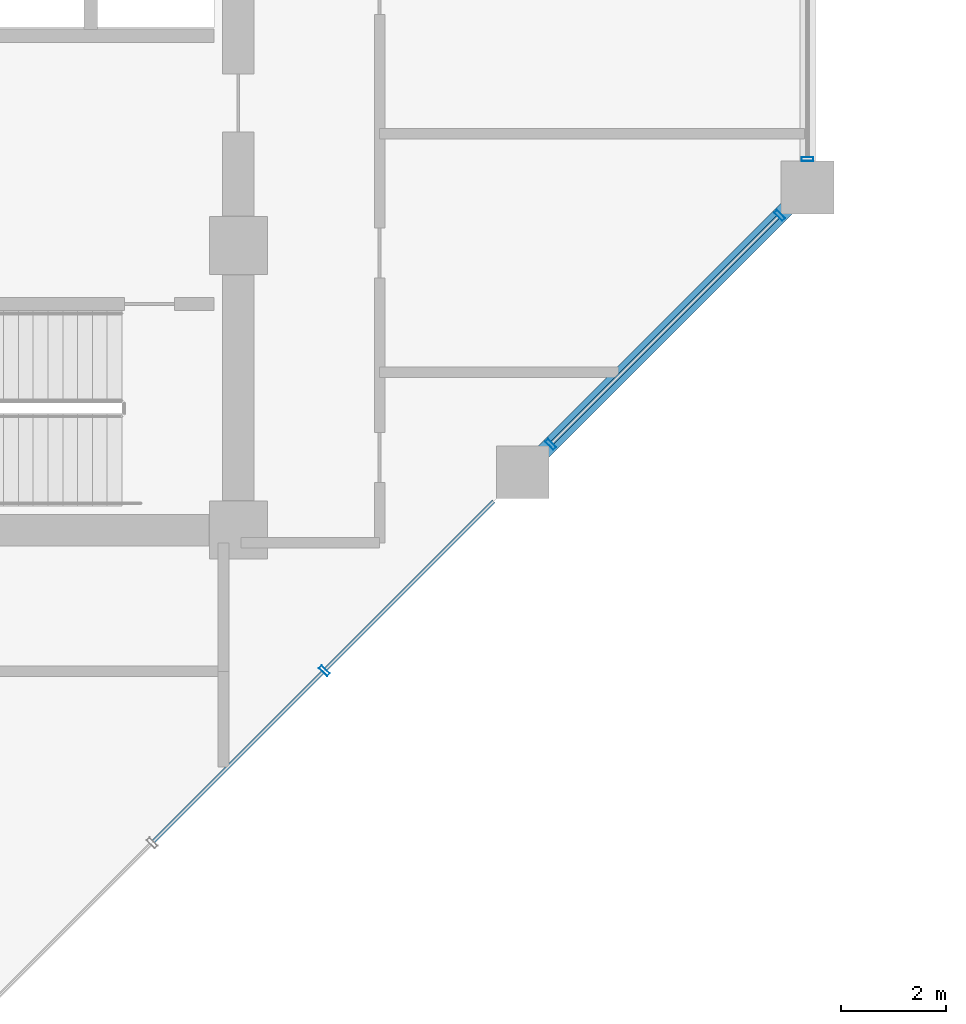
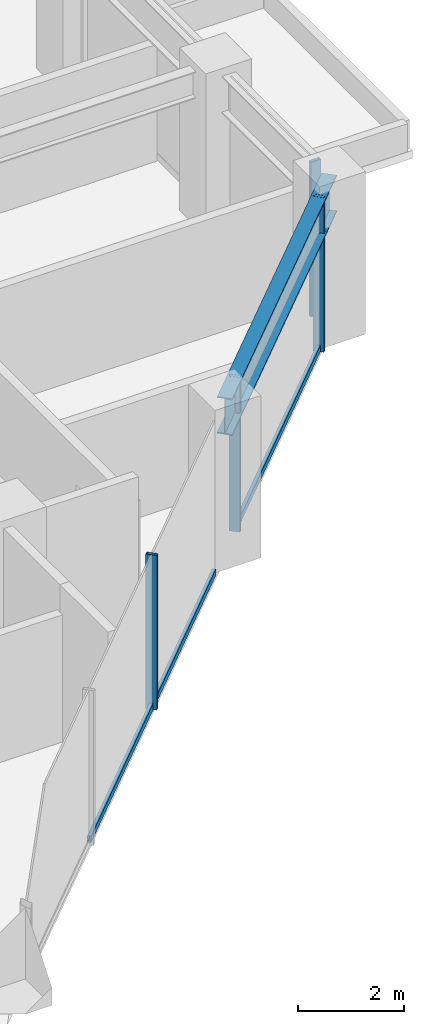
# One storey, part 8 of 29: 7 members, 1 beam, 2 elements without a shape of their own.
"""IFC4 building model written with IfcOpenShell, lengths in metres."""

from ifc_helpers import new_model, si_unit, direction, frame, origin, origin_2d, place, context, subcontext, project, spatial, hollow_rectangle, i_section, extrude, material, layer, layer_set, material_profile, profile_set, type_object, element, aggregate, save


model = new_model("IFC4")

# Units and contexts
model_context = context("Model", 3, precision=1e-05, world=origin(), true_north=direction((0.0, 1.0)))
body_context = subcontext(model_context, "Body", "Model", "MODEL_VIEW")
ifc_project = project(units=[si_unit("LENGTHUNIT", "METRE"), si_unit("AREAUNIT", "SQUARE_METRE"), si_unit("VOLUMEUNIT", "CUBIC_METRE"), si_unit("PLANEANGLEUNIT", "RADIAN"), si_unit("MASSUNIT", "GRAM", prefix="KILO")], contexts=[model_context])

# Site, building, storey
site_placement = place(None, origin())
site = spatial("IfcSite", under=ifc_project, at=site_placement, CompositionType="ELEMENT")
building_placement = place(site_placement, origin())
building = spatial("IfcBuilding", under=site, at=building_placement, Name="Surkhivell Harbour Commons", CompositionType="ELEMENT")
storey_placement = place(building_placement, frame((0.0, 0.0, 150.75)))
storey = spatial("IfcBuildingStorey", under=building, at=storey_placement, Name="L39", CompositionType="ELEMENT", Elevation=150.75)

# Beam
ifc_material_1 = material(Name="Steel S460", Category="steel")
ifc_material_profile_1 = material_profile(ifc_material_1, i_section(OverallWidth=0.2939453125, OverallDepth=0.85107421875, WebThickness=0.01611328125, FlangeThickness=0.02685546875, at=origin_2d()), Name="UB838x292x226")
ifc_profile_set_1 = profile_set([ifc_material_profile_1], Name="Steel S460")
beam_type = type_object("IfcBeamType", Name="BM-SPN-838", PredefinedType="SPANDREL", material=ifc_profile_set_1)
beam_placement = place(storey_placement, frame((16.199951171875, -9.699951171875, 3.14453125), z_axis=(0.707122765516, 0.707090796496, 0.0), x_axis=(-0.707090796496, 0.707122765516, 0.0)))
element("IfcBeam", 1, at=beam_placement, inside=storey, type_object=beam_type, Name="L39 Tube Spandrel (16.2,-9.7)", PredefinedType="SPANDREL", context=body_context, shape_type="SweptSolid", body=[
    extrude(i_section(OverallWidth=0.2939453125, OverallDepth=0.85107421875, WebThickness=0.01611328125, FlangeThickness=0.02685546875, at=origin_2d()), origin(), (0.0, 0.0, 1.0), 7.63671875),
])

# Curtain wall, members
ifc_material_2 = material(Name="Anodised pale-metal aluminium and insulated glazing", Category="aluminium")
ifc_layer = layer(ifc_material_2, 0.205078125)
ifc_layer_set = layer_set([ifc_layer], Name="Anodised pale-metal aluminium and insulated glazing")
curtain_wall_type = type_object("IfcCurtainWallType", Name="CW-SYS-Z2", PredefinedType="NOTDEFINED", material=ifc_layer_set)
curtain_wall_1_placement = place(storey_placement, origin())
curtain_wall_1 = element("IfcCurtainWall", 2, at=curtain_wall_1_placement, inside=storey, type_object=curtain_wall_type, Name="L39 Curtain Wall CW-L39-E01", PredefinedType="NOTDEFINED")
ifc_material_3 = material(Name="Anodised pale-metal aluminium alloy 6063-T6", Category="aluminium")
ifc_material_profile_2 = material_profile(ifc_material_3, hollow_rectangle(XDim=0.074951171875, YDim=0.219970703125, WallThickness=0.00390625, at=origin_2d()), Name="ALU-MULL-75x220")
ifc_profile_set_2 = profile_set([ifc_material_profile_2], Name="Anodised pale-metal aluminium alloy 6063-T6")
member_type_1 = type_object("IfcMemberType", Name="CWM-220", PredefinedType="MULLION", material=ifc_profile_set_2)
member_1_placement = place(storey_placement, frame((12.432861328125, -13.46728515625, 0.0), z_axis=(0.0, 0.0, 1.0), x_axis=(0.707106781187, 0.707106781187, 0.0)))
member_1 = element("IfcMember", 3, at=member_1_placement, type_object=member_type_1, Name="CW-Z2 mullion 4", PredefinedType="MULLION", context=body_context, shape_type="SweptSolid", body=[
    extrude(hollow_rectangle(XDim=0.074951171875, YDim=0.219970703125, WallThickness=0.00390625, at=origin_2d()), origin(), (0.0, 0.0, 1.0), 3.570068359375),
])
member_2_placement = place(storey_placement, frame((16.728271484375, -9.171875, 0.0), z_axis=(0.0, 0.0, 1.0), x_axis=(0.707106781187, 0.707106781187, 0.0)))
member_2 = element("IfcMember", 4, at=member_2_placement, type_object=member_type_1, Name="CW-Z2 mullion 5", PredefinedType="MULLION", context=body_context, shape_type="SweptSolid", body=[
    extrude(hollow_rectangle(XDim=0.074951171875, YDim=0.219970703125, WallThickness=0.00390625, at=origin_2d()), origin(), (0.0, 0.0, 1.0), 3.570068359375),
])
member_3_placement = place(storey_placement, frame((21.07177734375, -4.828125, 0.0), z_axis=(0.0, 0.0, 1.0), x_axis=(0.707106781187, 0.707106781187, 0.0)))
member_3 = element("IfcMember", 5, at=member_3_placement, type_object=member_type_1, Name="CW-Z2 mullion 6", PredefinedType="MULLION", context=body_context, shape_type="SweptSolid", body=[
    extrude(hollow_rectangle(XDim=0.074951171875, YDim=0.219970703125, WallThickness=0.00390625, at=origin_2d()), origin(), (0.0, 0.0, 1.0), 3.570068359375),
])

# Curtain wall, member
curtain_wall_2_placement = place(storey_placement, origin())
curtain_wall_2 = element("IfcCurtainWall", 6, at=curtain_wall_2_placement, inside=storey, type_object=curtain_wall_type, Name="L39 Curtain Wall CW-L39-E02R1", PredefinedType="NOTDEFINED")
member_4_placement = place(storey_placement, frame((21.60009765625, -3.760498046875, 0.0), z_axis=(0.0, 0.0, 1.0), x_axis=(0.0, 1.0, 0.0)))
member_4 = element("IfcMember", 7, at=member_4_placement, type_object=member_type_1, Name="CW-Z2 mullion 1", PredefinedType="MULLION", context=body_context, shape_type="SweptSolid", body=[
    extrude(hollow_rectangle(XDim=0.074951171875, YDim=0.219970703125, WallThickness=0.00390625, at=origin_2d()), origin(), (0.0, 0.0, 1.0), 3.570068359375),
])
aggregate(curtain_wall_2, [member_4])

# Member
ifc_material_profile_3 = material_profile(ifc_material_3, hollow_rectangle(XDim=0.074951171875, YDim=0.14990234375, WallThickness=0.00341796875, at=origin_2d()), Name="ALU-TRAN-75x150")
ifc_profile_set_3 = profile_set([ifc_material_profile_3], Name="Anodised pale-metal aluminium alloy 6063-T6")
member_type_2 = type_object("IfcMemberType", Name="CWT-150", PredefinedType="USERDEFINED", material=ifc_profile_set_3)
member_5_placement = place(storey_placement, frame((9.19384765625, -16.706298828125, 0.074951171875), z_axis=(0.707079911854, 0.707133649498, 0.0), x_axis=(-0.707133649498, 0.707079911854, 0.0)))
member_5 = element("IfcMember", 8, at=member_5_placement, type_object=member_type_2, Name="CW-Z2 transom 3.1", ObjectType="TRANSOM", PredefinedType="USERDEFINED", context=body_context, shape_type="SweptSolid", body=[
    extrude(hollow_rectangle(XDim=0.074951171875, YDim=0.14990234375, WallThickness=0.00341796875, at=origin_2d()), origin(), (0.0, 0.0, 1.0), 4.543212890625),
])

member_6_placement = place(storey_placement, frame((12.459228515625, -13.440673828125, 0.074951171875), z_axis=(0.707106781187, 0.707106781187, 0.0), x_axis=(-0.707106781187, 0.707106781187, 0.0)))
member_6 = element("IfcMember", 9, at=member_6_placement, type_object=member_type_2, Name="CW-Z2 transom 4.1", ObjectType="TRANSOM", PredefinedType="USERDEFINED", context=body_context, shape_type="SweptSolid", body=[
    extrude(hollow_rectangle(XDim=0.074951171875, YDim=0.14990234375, WallThickness=0.00341796875, at=origin_2d()), origin(), (0.0, 0.0, 1.0), 4.505615234375),
])

member_7_placement = place(storey_placement, frame((16.754638671875, -9.145263671875, 0.074951171875), z_axis=(0.707106781187, 0.707106781187, 0.0), x_axis=(-0.707106781187, 0.707106781187, 0.0)))
member_7 = element("IfcMember", 10, at=member_7_placement, type_object=member_type_2, Name="CW-Z2 transom 5.1", ObjectType="TRANSOM", PredefinedType="USERDEFINED", context=body_context, shape_type="SweptSolid", body=[
    extrude(hollow_rectangle(XDim=0.074951171875, YDim=0.14990234375, WallThickness=0.00341796875, at=origin_2d()), origin(), (0.0, 0.0, 1.0), 6.067626953125),
])

aggregate(curtain_wall_1, [member_1, member_5, member_6, member_2, member_3, member_7])

save(model, "model.ifc")
